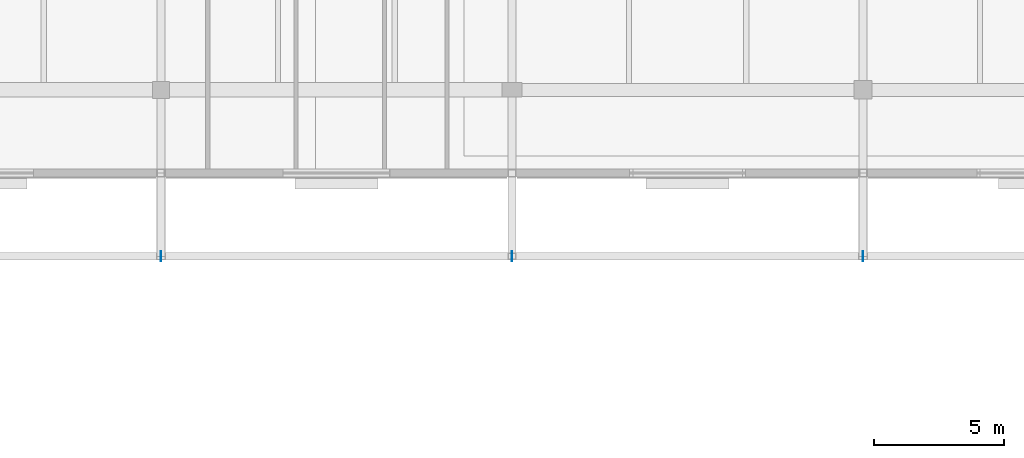
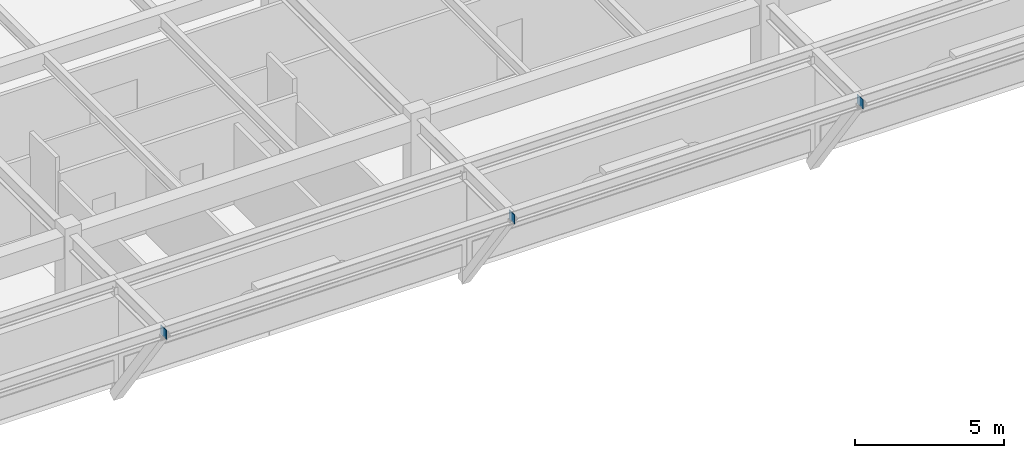
# One storey, part 85 of 109: 3 plates.
"""IFC4 building model written with IfcOpenShell, lengths in metres."""

from ifc_helpers import new_model, si_unit, direction, frame, origin, origin_2d, place, context, subcontext, project, spatial, rectangle, extrude, material, layer, layer_set, type_object, element, save


model = new_model("IFC4")

# Units and contexts
model_context = context("Model", 3, precision=1e-05, world=origin(), true_north=direction((0.0, 1.0)))
body_context = subcontext(model_context, "Body", "Model", "MODEL_VIEW")
ifc_project = project(units=[si_unit("LENGTHUNIT", "METRE"), si_unit("AREAUNIT", "SQUARE_METRE"), si_unit("VOLUMEUNIT", "CUBIC_METRE"), si_unit("PLANEANGLEUNIT", "RADIAN"), si_unit("MASSUNIT", "GRAM", prefix="KILO")], contexts=[model_context])

# Site, building, storey
site_placement = place(None, origin())
site = spatial("IfcSite", under=ifc_project, at=site_placement, CompositionType="ELEMENT")
building_placement = place(site_placement, origin())
building = spatial("IfcBuilding", under=site, at=building_placement, Name="Fikremerkos Civic Library", CompositionType="ELEMENT")
storey_placement = place(building_placement, frame((0.0, 0.0, 5.39990234375)))
storey = spatial("IfcBuildingStorey", under=building, at=storey_placement, Name="L01", CompositionType="ELEMENT", Elevation=5.39990234375)

# Plates
ifc_material = material(Name="Steel S355", Category="steel")
ifc_layer = layer(ifc_material, 0.02490234375, Name="Steel S355")
ifc_layer_set = layer_set([ifc_layer], Name="Steel S355")
plate_type = type_object("IfcPlateType", Name="Steel gusset cap plate GSP-02 380x380x25", PredefinedType="USERDEFINED", material=ifc_layer_set)
for number, where, z_axis, x_axis, name in (
    (1, (73.199951171875, 5.60009765625, 3.6650390625), (0.0, 0.0, 1.0), (1.0, 0.0, 0.0), "Steel gusset cap plate GSP-02 #21"),
    (2, (86.699951171875, 5.60009765625, 3.6650390625), (0.0, 0.0, 1.0), (1.0, 0.0, 0.0), "Steel gusset cap plate GSP-02 #27"),
    (3, (100.199951171875, 5.60009765625, 3.6650390625), (0.0, 0.0, 1.0), (1.0, 0.0, 0.0), "Steel gusset cap plate GSP-02 #33"),
):
    element("IfcPlate", number, at=place(storey_placement, frame(where, z_axis=z_axis, x_axis=x_axis)), inside=storey, type_object=plate_type, Name=name, ObjectType="GUSSET PLATE", PredefinedType="USERDEFINED", context=body_context, shape_type="SweptSolid", body=[
        extrude(rectangle(XDim=0.02490234375, YDim=0.3798828125, at=origin_2d()), origin(), (0.0, 0.0, 1.0), 0.3798828125),
    ])

save(model, "model.ifc")
